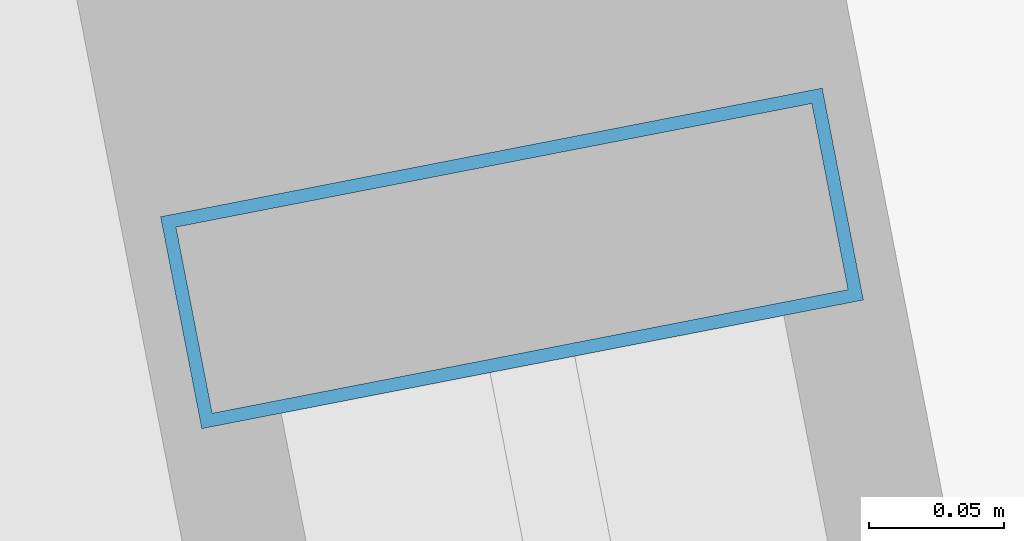
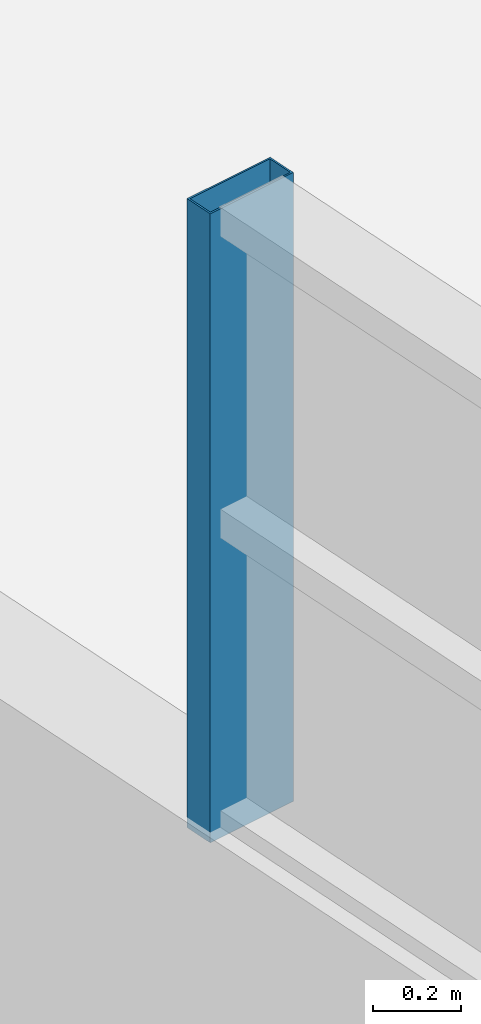
# One storey, part 20 of 142: 1 member, 1 element without a shape of its own.
"""IFC4 building model written with IfcOpenShell, lengths in metres."""

from ifc_helpers import new_model, si_unit, direction, frame, origin, origin_2d, place, context, subcontext, project, spatial, hollow_rectangle, extrude, material, layer, layer_set, material_profile, profile_set, type_object, element, aggregate, save


model = new_model("IFC4")

# Units and contexts
model_context = context("Model", 3, precision=1e-05, world=origin(), true_north=direction((0.0, 1.0)))
body_context = subcontext(model_context, "Body", "Model", "MODEL_VIEW")
ifc_project = project(units=[si_unit("LENGTHUNIT", "METRE"), si_unit("AREAUNIT", "SQUARE_METRE"), si_unit("VOLUMEUNIT", "CUBIC_METRE"), si_unit("PLANEANGLEUNIT", "RADIAN"), si_unit("MASSUNIT", "GRAM", prefix="KILO"), si_unit("THERMODYNAMICTEMPERATUREUNIT", "KELVIN"), si_unit("POWERUNIT", "WATT")], contexts=[model_context])

# Site, building, storey
site_placement = place(None, origin())
site = spatial("IfcSite", under=ifc_project, at=site_placement, CompositionType="ELEMENT")
building_placement = place(site_placement, origin())
building = spatial("IfcBuilding", under=site, at=building_placement, Name="Zelmaris Science Centre", CompositionType="ELEMENT")
storey_placement = place(building_placement, frame((0.0, 0.0, 5.39990234375)))
storey = spatial("IfcBuildingStorey", under=building, at=storey_placement, Name="L01", CompositionType="ELEMENT", Elevation=5.39990234375)

# Curtain wall, member
ifc_material = material(Name="Anodised architectural aluminium 6063-T6", Category="aluminium")
ifc_layer = layer(ifc_material, 0.18994140625, Name="Anodised architectural aluminium 6063-T6")
ifc_layer_set = layer_set([ifc_layer], Name="Anodised architectural aluminium 6063-T6")
curtain_wall_type = type_object("IfcCurtainWallType", Name="Curtain Wall CW-01", PredefinedType="USERDEFINED", material=ifc_layer_set)
curtain_wall_placement = place(storey_placement, origin())
curtain_wall = element("IfcCurtainWall", 1, at=curtain_wall_placement, inside=storey, type_object=curtain_wall_type, Name="L01 Clerestory curtain wall 193", ObjectType="GLAZED CURTAIN WALL", PredefinedType="USERDEFINED")
ifc_material_profile = material_profile(ifc_material, hollow_rectangle(XDim=0.080078125, YDim=0.25, WallThickness=0.0048828125, at=origin_2d()), Name="ALU-MUL-80X250")
ifc_profile_set = profile_set([ifc_material_profile], Name="Anodised architectural aluminium 6063-T6")
member_type = type_object("IfcMemberType", Name="ALU-MUL-80X250", PredefinedType="MULLION", material=ifc_profile_set)
member_placement = place(storey_placement, frame((64.421630859375, 39.686279296875, 2.420166015625), z_axis=(0.0, 0.0, 1.0), x_axis=(-0.190802142321, 0.981628515522, 0.0)))
member = element("IfcMember", 2, at=member_placement, type_object=member_type, Name="CW-01 mullion 5", PredefinedType="MULLION", context=body_context, shape_type="SweptSolid", body=[
    extrude(hollow_rectangle(XDim=0.080078125, YDim=0.25, WallThickness=0.0048828125, at=origin_2d()), origin(), (0.0, 0.0, 1.0), 1.743896484375),
])
aggregate(curtain_wall, [member])

save(model, "model.ifc")
